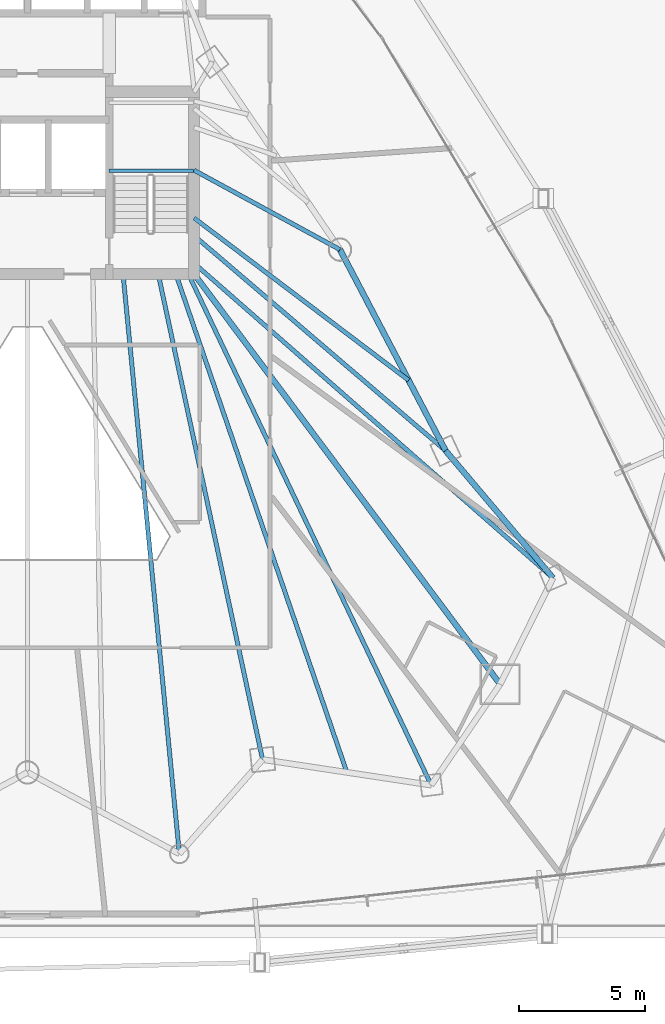
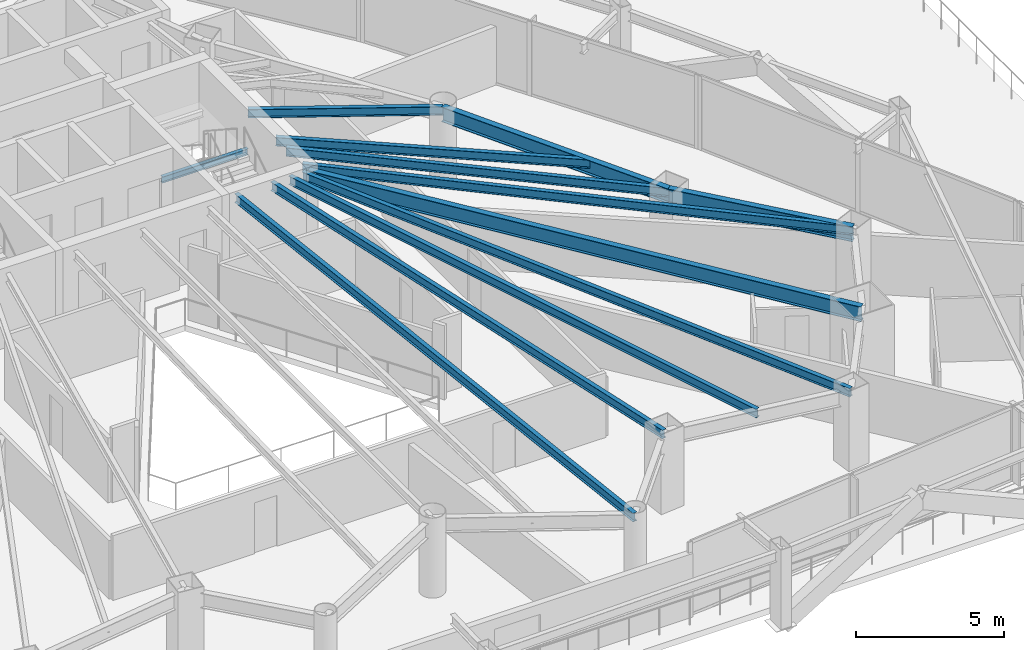
# One storey, part 17 of 36: 12 beams.
"""IFC4 building model written with IfcOpenShell, lengths in metres."""

from ifc_helpers import new_model, si_unit, direction, frame, origin, origin_2d, place, context, subcontext, project, spatial, i_section, extrude, material, material_profile, profile_set, type_object, element, save


model = new_model("IFC4")

# Units and contexts
model_context = context("Model", 3, precision=1e-05, world=origin(), true_north=direction((0.0, 1.0)))
body_context = subcontext(model_context, "Body", "Model", "MODEL_VIEW")
ifc_project = project(units=[si_unit("LENGTHUNIT", "METRE"), si_unit("AREAUNIT", "SQUARE_METRE"), si_unit("VOLUMEUNIT", "CUBIC_METRE"), si_unit("PLANEANGLEUNIT", "RADIAN"), si_unit("MASSUNIT", "GRAM", prefix="KILO")], contexts=[model_context])

# Site, building, storey
site_placement = place(None, origin())
site = spatial("IfcSite", under=ifc_project, at=site_placement, CompositionType="ELEMENT")
building_placement = place(site_placement, origin())
building = spatial("IfcBuilding", under=site, at=building_placement, Name="Orvanel Arch Residences", CompositionType="ELEMENT")
storey_placement = place(building_placement, frame((0.0, 0.0, 23.60009765625)))
storey = spatial("IfcBuildingStorey", under=building, at=storey_placement, Name="L05", CompositionType="ELEMENT", Elevation=23.60009765625)

# Beams
ifc_material = material(Name="Structural steel AS/NZS 3679.1 Grade 300 (300 MPa)", Category="steel")
ifc_material_profile_1 = material_profile(ifc_material, i_section(OverallWidth=0.22900390625, OverallDepth=0.612060546875, WebThickness=0.011962890625, FlangeThickness=0.01953125, at=origin_2d()), Name="610UB125")
ifc_profile_set_1 = profile_set([ifc_material_profile_1], Name="Structural steel AS/NZS 3679.1 Grade 300 (300 MPa)")
beam_type_1 = type_object("IfcBeamType", Name="BG-610UB", PredefinedType="BEAM", material=ifc_profile_set_1)
beam_1_placement = place(storey_placement, frame((39.625, 26.675048828125, 2.75390625), z_axis=(0.597893733742, -0.801575375839, 0.0), x_axis=(0.801575375839, 0.597893733742, 0.0)))
element("IfcBeam", 1, at=beam_1_placement, inside=storey, type_object=beam_type_1, Name="L05 South-East Radial Girder", PredefinedType="BEAM", context=body_context, shape_type="SweptSolid", body=[
    extrude(i_section(OverallWidth=0.22900390625, OverallDepth=0.612060546875, WebThickness=0.011962890625, FlangeThickness=0.01953125, at=origin_2d()), origin(), (0.0, 0.0, 1.0), 20.36474609375),
])
ifc_material_profile_2 = material_profile(ifc_material, i_section(OverallWidth=0.14599609375, OverallDepth=0.251953125, WebThickness=0.006103515625, FlangeThickness=0.008544921875, at=origin_2d()), Name="250UB31.4")
ifc_profile_set_2 = profile_set([ifc_material_profile_2], Name="Structural steel AS/NZS 3679.1 Grade 300 (300 MPa)")
beam_type_2 = type_object("IfcBeamType", Name="BJ-250UB", PredefinedType="JOIST", material=ifc_profile_set_2)
beam_2_placement = place(storey_placement, frame((36.25, 30.780029296875, 1.323974609375), z_axis=(1.0, 0.0, 0.0), x_axis=(0.0, 1.0, 0.0)))
element("IfcBeam", 2, at=beam_2_placement, inside=storey, type_object=beam_type_2, Name="L05 ST-2 Half-Landing Support Beam 1.1", PredefinedType="JOIST", context=body_context, shape_type="SweptSolid", body=[
    extrude(i_section(OverallWidth=0.14599609375, OverallDepth=0.251953125, WebThickness=0.006103515625, FlangeThickness=0.008544921875, at=origin_2d()), origin(), (0.0, 0.0, 1.0), 3.35009765625),
])
ifc_material_profile_3 = material_profile(ifc_material, i_section(OverallWidth=0.1708984375, OverallDepth=0.35595703125, WebThickness=0.00732421875, FlangeThickness=0.011474609375, at=origin_2d()), Name="360UB50.7")
ifc_profile_set_3 = profile_set([ifc_material_profile_3], Name="Structural steel AS/NZS 3679.1 Grade 300 (300 MPa)")
beam_type_3 = type_object("IfcBeamType", Name="BJ-360UB", PredefinedType="JOIST", material=ifc_profile_set_3)
beam_3_placement = place(storey_placement, frame((39.625, 30.800048828125, 2.8818359375), z_axis=(0.878399029914, -0.477927969726, 0.0), x_axis=(0.477927969726, 0.878399029914, 0.0)))
element("IfcBeam", 3, at=beam_3_placement, inside=storey, type_object=beam_type_3, Name="L05 NE Wing Floor Joist", PredefinedType="JOIST", context=body_context, shape_type="SweptSolid", body=[
    extrude(i_section(OverallWidth=0.1708984375, OverallDepth=0.35595703125, WebThickness=0.00732421875, FlangeThickness=0.011474609375, at=origin_2d()), origin(), (0.0, 0.0, 1.0), 6.609619140625),
])
beam_4_placement = place(storey_placement, frame((39.625, 28.199951171875, 2.8818359375), z_axis=(0.760024297953, -0.649894658018, 0.0), x_axis=(0.649894658018, 0.760024297953, 0.0)))
element("IfcBeam", 4, at=beam_4_placement, inside=storey, type_object=beam_type_3, Name="L05 E Wing Floor Joist", PredefinedType="JOIST", context=body_context, shape_type="SweptSolid", body=[
    extrude(i_section(OverallWidth=0.1708984375, OverallDepth=0.35595703125, WebThickness=0.00732421875, FlangeThickness=0.011474609375, at=origin_2d()), origin(), (0.0, 0.0, 1.0), 13.16796875),
])
beam_5_placement = place(storey_placement, frame((38.199951171875, 26.675048828125, 2.8818359375), z_axis=(0.210066515515, -0.977687096703, 0.0), x_axis=(0.977687096703, 0.210066515515, 0.0)))
element("IfcBeam", 5, at=beam_5_placement, inside=storey, type_object=beam_type_3, Name="L05 SE Wing Floor Joist", PredefinedType="JOIST", context=body_context, shape_type="SweptSolid", body=[
    extrude(i_section(OverallWidth=0.1708984375, OverallDepth=0.35595703125, WebThickness=0.00732421875, FlangeThickness=0.011474609375, at=origin_2d()), origin(), (0.0, 0.0, 1.0), 19.760986328125),
])
beam_6_placement = place(storey_placement, frame((39.625, 27.10009765625, 2.8818359375), z_axis=(0.751924114057, -0.659249669472, 0.0), x_axis=(0.659249669472, 0.751924114057, 0.0)))
element("IfcBeam", 6, at=beam_6_placement, inside=storey, type_object=beam_type_3, Name="L05 ME Wing Floor Joist", PredefinedType="JOIST", context=body_context, shape_type="SweptSolid", body=[
    extrude(i_section(OverallWidth=0.1708984375, OverallDepth=0.35595703125, WebThickness=0.00732421875, FlangeThickness=0.011474609375, at=origin_2d()), origin(), (0.0, 0.0, 1.0), 18.9912109375),
])
beam_7_placement = place(storey_placement, frame((39.39990234375, 26.675048828125, 2.8818359375), z_axis=(0.429042657795, -0.903284228686, 0.0), x_axis=(0.903284228686, 0.429042657795, 0.0)))
element("IfcBeam", 7, at=beam_7_placement, inside=storey, type_object=beam_type_3, Name="L05 MSE Wing Floor Joist", PredefinedType="JOIST", context=body_context, shape_type="SweptSolid", body=[
    extrude(i_section(OverallWidth=0.1708984375, OverallDepth=0.35595703125, WebThickness=0.00732421875, FlangeThickness=0.011474609375, at=origin_2d()), origin(), (0.0, 0.0, 1.0), 22.513427734375),
])
beam_8_placement = place(storey_placement, frame((36.800048828125, 26.675048828125, 2.8818359375), z_axis=(0.096724091756, -0.995311232768, 0.0), x_axis=(0.995311232768, 0.096724091756, 0.0)))
element("IfcBeam", 8, at=beam_8_placement, inside=storey, type_object=beam_type_3, Name="L05 LSE Wing Floor Joist", PredefinedType="JOIST", context=body_context, shape_type="SweptSolid", body=[
    extrude(i_section(OverallWidth=0.1708984375, OverallDepth=0.35595703125, WebThickness=0.00732421875, FlangeThickness=0.011474609375, at=origin_2d()), origin(), (0.0, 0.0, 1.0), 23.1787109375),
])
beam_9_placement = place(storey_placement, frame((39.625, 28.89990234375, 2.8818359375), z_axis=(0.797519083104, -0.60329371958, 0.0), x_axis=(0.60329371958, 0.797519083104, 0.0)))
element("IfcBeam", 9, at=beam_9_placement, inside=storey, type_object=beam_type_3, Name="L05 CTE Wing Floor Joist", PredefinedType="JOIST", context=body_context, shape_type="SweptSolid", body=[
    extrude(i_section(OverallWidth=0.1708984375, OverallDepth=0.35595703125, WebThickness=0.00732421875, FlangeThickness=0.011474609375, at=origin_2d()), origin(), (0.0, 0.0, 1.0), 10.70458984375),
])
beam_10_placement = place(storey_placement, frame((38.89990234375, 26.675048828125, 2.8818359375), z_axis=(0.324621456495, -0.945844019901, 0.0), x_axis=(0.945844019901, 0.324621456495, 0.0)))
element("IfcBeam", 10, at=beam_10_placement, inside=storey, type_object=beam_type_3, Name="L05 JADD2 Wing Floor Joist", PredefinedType="JOIST", context=body_context, shape_type="SweptSolid", body=[
    extrude(i_section(OverallWidth=0.1708984375, OverallDepth=0.35595703125, WebThickness=0.00732421875, FlangeThickness=0.011474609375, at=origin_2d()), origin(), (0.0, 0.0, 1.0), 20.96337890625),
])
ifc_material_profile_4 = material_profile(ifc_material, i_section(OverallWidth=0.22900390625, OverallDepth=0.612060546875, WebThickness=0.011962890625, FlangeThickness=0.01953125, at=origin_2d()), Name="610UB125")
ifc_profile_set_4 = profile_set([ifc_material_profile_4], Name="Structural steel AS/NZS 3679.1 Grade 300 (300 MPa)")
beam_type_4 = type_object("IfcBeamType", Name="SP-610UB", PredefinedType="SPANDREL", material=ifc_profile_set_4)
beam_11_placement = place(storey_placement, frame((53.905029296875, 14.580078125, 2.75390625), z_axis=(-0.644950329775, 0.764224490659, 0.0), x_axis=(-0.764224490659, -0.644950329775, 0.0)))
element("IfcBeam", 11, at=beam_11_placement, inside=storey, type_object=beam_type_4, Name="L05 Perimeter Spandrel Beam 12", PredefinedType="SPANDREL", context=body_context, shape_type="SweptSolid", body=[
    extrude(i_section(OverallWidth=0.22900390625, OverallDepth=0.612060546875, WebThickness=0.011962890625, FlangeThickness=0.01953125, at=origin_2d()), origin(), (0.0, 0.0, 1.0), 6.623779296875),
])
beam_12_placement = place(storey_placement, frame((49.633056640625, 19.64208984375, 2.75390625), z_axis=(-0.465064762793, 0.885276660942, 0.0), x_axis=(-0.885276660942, -0.465064762793, 0.0)))
element("IfcBeam", 12, at=beam_12_placement, inside=storey, type_object=beam_type_4, Name="L05 Perimeter Spandrel Beam 13", PredefinedType="SPANDREL", context=body_context, shape_type="SweptSolid", body=[
    extrude(i_section(OverallWidth=0.22900390625, OverallDepth=0.612060546875, WebThickness=0.011962890625, FlangeThickness=0.01953125, at=origin_2d()), origin(), (0.0, 0.0, 1.0), 9.03564453125),
])

save(model, "model.ifc")
